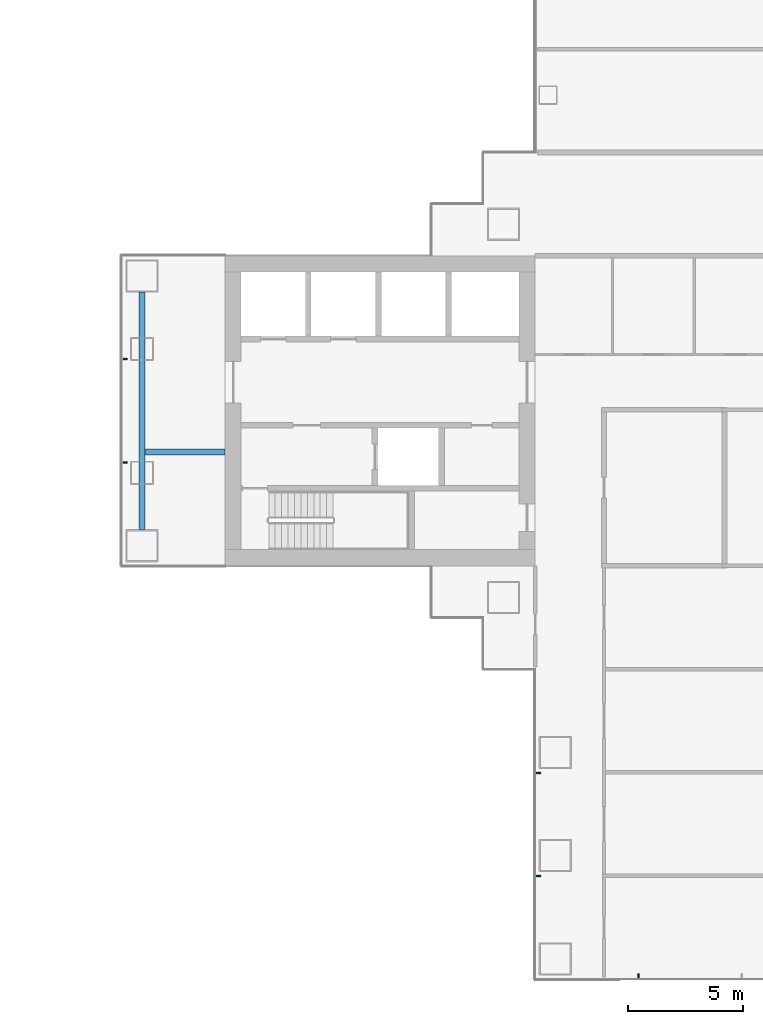
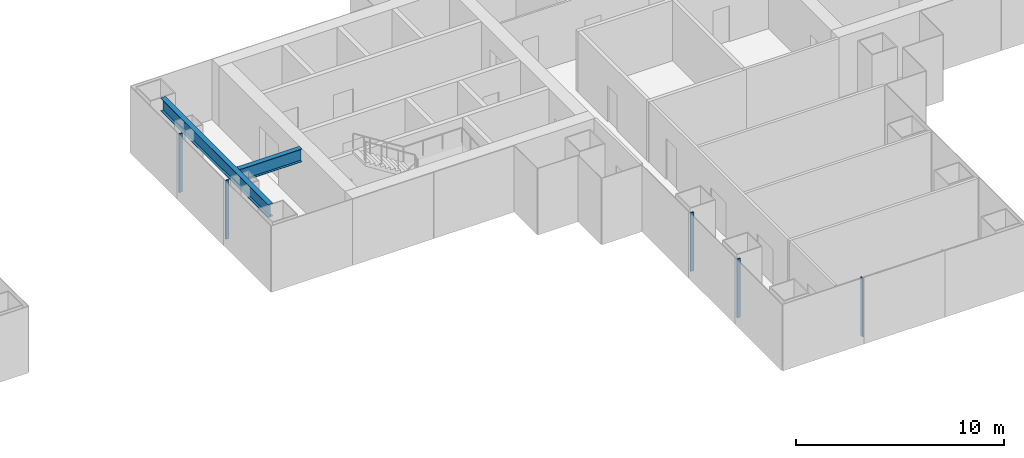
# One storey, part 6 of 21: 5 members, 2 beams, 3 elements without a shape of their own.
"""IFC4 building model written with IfcOpenShell, lengths in metres."""

from ifc_helpers import new_model, si_unit, direction, frame, origin, origin_2d, place, context, subcontext, project, spatial, rectangle, i_section, extrude, material, layer, layer_set, material_profile, profile_set, type_object, element, aggregate, save


model = new_model("IFC4")

# Units and contexts
model_context = context("Model", 3, precision=1e-05, world=origin(), true_north=direction((0.0, 1.0)))
body_context = subcontext(model_context, "Body", "Model", "MODEL_VIEW")
ifc_project = project(units=[si_unit("LENGTHUNIT", "METRE"), si_unit("AREAUNIT", "SQUARE_METRE"), si_unit("VOLUMEUNIT", "CUBIC_METRE"), si_unit("PLANEANGLEUNIT", "RADIAN"), si_unit("MASSUNIT", "GRAM", prefix="KILO")], contexts=[model_context])

# Site, building, storey
site_placement = place(None, origin())
site = spatial("IfcSite", under=ifc_project, at=site_placement, CompositionType="ELEMENT")
building_placement = place(site_placement, origin())
building = spatial("IfcBuilding", under=site, at=building_placement, Name="Shamsa Quay Exchange Towers", CompositionType="ELEMENT")
storey_placement = place(building_placement, frame((0.0, 0.0, 45.89990234375)))
storey = spatial("IfcBuildingStorey", under=building, at=storey_placement, Name="L09", CompositionType="ELEMENT", Elevation=45.89990234375)

# Curtain wall, members
ifc_material_1 = material(Name="Aluminium EN AW-6063 T6, black anodised", Category="aluminium")
ifc_layer = layer(ifc_material_1, 0.280029296875)
ifc_layer_set = layer_set([ifc_layer], Name="CW-1 UNITISED VISION GLASS")
curtain_wall_type = type_object("IfcCurtainWallType", Name="CW-1 UNITISED VISION GLASS", PredefinedType="NOTDEFINED", material=ifc_layer_set)
curtain_wall_1_placement = place(storey_placement, origin())
curtain_wall_1 = element("IfcCurtainWall", 1, at=curtain_wall_1_placement, inside=storey, type_object=curtain_wall_type, Name="CW1 T2-END-V+ L09", PredefinedType="NOTDEFINED")
ifc_material_profile_1 = material_profile(ifc_material_1, rectangle(XDim=0.179931640625, YDim=0.06005859375, at=origin_2d()), Name="MU60x180")
ifc_profile_set_1 = profile_set([ifc_material_profile_1], Name="Aluminium EN AW-6063 T6, black anodised")
member_type = type_object("IfcMemberType", Name="CW1 MULLION 60x180", PredefinedType="MULLION", material=ifc_profile_set_1)
member_1_placement = place(storey_placement, frame((9.14990234375, 2.25, 0.0)))
member_1 = element("IfcMember", 2, at=member_1_placement, type_object=member_type, Name="CW1 mullion", PredefinedType="MULLION", context=body_context, shape_type="SweptSolid", body=[
    extrude(rectangle(XDim=0.179931640625, YDim=0.06005859375, at=origin_2d()), origin(), (0.0, 0.0, 1.0), 3.4501953125),
])
member_2_placement = place(storey_placement, frame((9.14990234375, -2.25, 0.0)))
member_2 = element("IfcMember", 3, at=member_2_placement, type_object=member_type, Name="CW1 mullion", PredefinedType="MULLION", context=body_context, shape_type="SweptSolid", body=[
    extrude(rectangle(XDim=0.179931640625, YDim=0.06005859375, at=origin_2d()), origin(), (0.0, 0.0, 1.0), 3.4501953125),
])
aggregate(curtain_wall_1, [member_1, member_2])

curtain_wall_2_placement = place(storey_placement, origin())
curtain_wall_2 = element("IfcCurtainWall", 4, at=curtain_wall_2_placement, inside=storey, type_object=curtain_wall_type, Name="CW1 T2-FLK-U-N L09", PredefinedType="NOTDEFINED")
member_3_placement = place(storey_placement, frame((27.14990234375, -15.775390625, 0.0)))
member_3 = element("IfcMember", 5, at=member_3_placement, type_object=member_type, Name="CW1 mullion", PredefinedType="MULLION", context=body_context, shape_type="SweptSolid", body=[
    extrude(rectangle(XDim=0.179931640625, YDim=0.06005859375, at=origin_2d()), origin(), (0.0, 0.0, 1.0), 3.4501953125),
])
member_4_placement = place(storey_placement, frame((27.14990234375, -20.2626953125, 0.0)))
member_4 = element("IfcMember", 6, at=member_4_placement, type_object=member_type, Name="CW1 mullion", PredefinedType="MULLION", context=body_context, shape_type="SweptSolid", body=[
    extrude(rectangle(XDim=0.179931640625, YDim=0.06005859375, at=origin_2d()), origin(), (0.0, 0.0, 1.0), 3.4501953125),
])
aggregate(curtain_wall_2, [member_3, member_4])

# Curtain wall, member
curtain_wall_3_placement = place(storey_placement, origin())
curtain_wall_3 = element("IfcCurtainWall", 7, at=curtain_wall_3_placement, inside=storey, type_object=curtain_wall_type, Name="CW1 T2-END-U- L09", PredefinedType="NOTDEFINED")
member_5_placement = place(storey_placement, frame((31.5, -24.60009765625, 0.0), z_axis=(0.0, 0.0, 1.0), x_axis=(0.0, 1.0, 0.0)))
member_5 = element("IfcMember", 8, at=member_5_placement, type_object=member_type, Name="CW1 mullion", PredefinedType="MULLION", context=body_context, shape_type="SweptSolid", body=[
    extrude(rectangle(XDim=0.179931640625, YDim=0.06005859375, at=origin_2d()), origin(), (0.0, 0.0, 1.0), 3.4501953125),
])
aggregate(curtain_wall_3, [member_5])

# Beams
ifc_material_2 = material(Name="Steel S355", Category="steel")
ifc_material_profile_2 = material_profile(ifc_material_2, i_section(OverallWidth=0.26611328125, OverallDepth=0.7578125, WebThickness=0.013916015625, FlangeThickness=0.019287109375, at=origin_2d()), Name="W30x108")
ifc_profile_set_2 = profile_set([ifc_material_profile_2], Name="Steel S355")
beam_type = type_object("IfcBeamType", Name="End-zone beam W30x108", PredefinedType="BEAM", material=ifc_profile_set_2)
beam_1_placement = place(storey_placement, frame((9.875, -5.175048828125, 3.171142578125), z_axis=(0.0, 1.0, 0.0), x_axis=(-1.0, 0.0, 0.0)))
element("IfcBeam", 9, at=beam_1_placement, inside=storey, type_object=beam_type, Name="End beam T2 V+ end zone L09", PredefinedType="BEAM", context=body_context, shape_type="SweptSolid", body=[
    extrude(i_section(OverallWidth=0.26611328125, OverallDepth=0.7578125, WebThickness=0.013916015625, FlangeThickness=0.019287109375, at=origin_2d()), origin(), (0.0, 0.0, 1.0), 10.35009765625),
])
beam_2_placement = place(storey_placement, frame((13.5, -1.800048828125, 3.171142578125), z_axis=(-1.0, 0.0, 0.0), x_axis=(0.0, -1.0, 0.0)))
element("IfcBeam", 10, at=beam_2_placement, inside=storey, type_object=beam_type, Name="Spine beam T2 V+ end zone L09", PredefinedType="BEAM", context=body_context, shape_type="SweptSolid", body=[
    extrude(i_section(OverallWidth=0.26611328125, OverallDepth=0.7578125, WebThickness=0.013916015625, FlangeThickness=0.019287109375, at=origin_2d()), origin(), (0.0, 0.0, 1.0), 3.491943359375),
])

save(model, "model.ifc")
